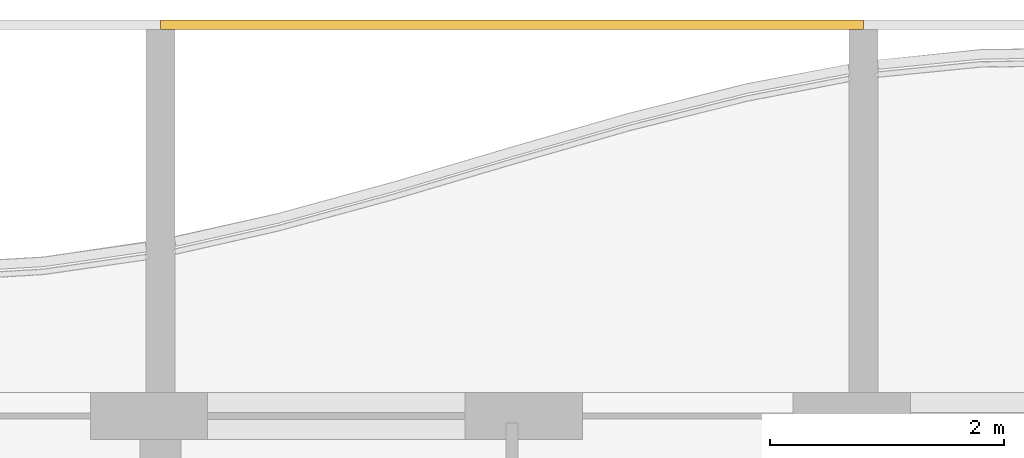
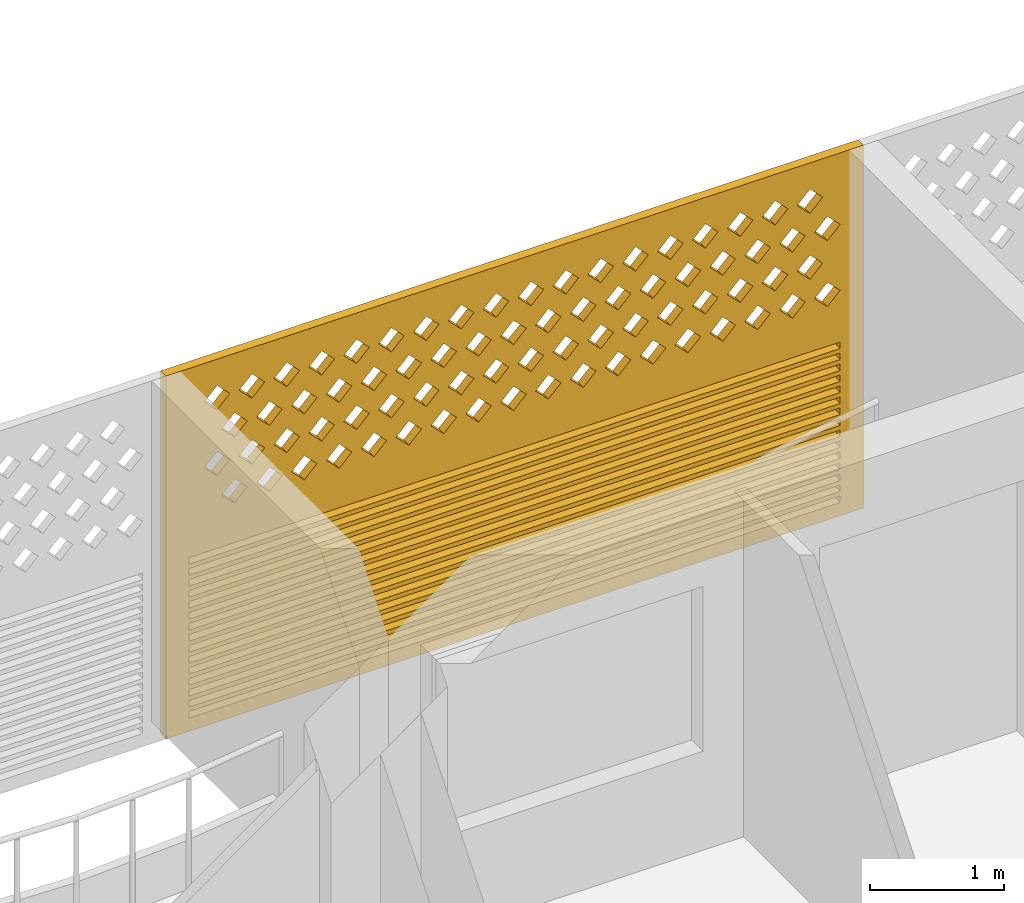
# One storey, part 25 of 27: 1 covering.
"""IFC4 building model written with IfcOpenShell, lengths in metres."""

from ifc_helpers import new_model, si_unit, direction, frame, origin, place, context, subcontext, project, spatial, polyline, outline, extrude, source, transform, mapped, material, material_profile, profile_set, type_object, element, save


model = new_model("IFC4")

# Units and contexts
model_context = context("Model", 3, precision=1e-05, world=origin(), true_north=direction((0.0, 1.0)))
body_context = subcontext(model_context, "Body", "Model", "MODEL_VIEW")
ifc_project = project(units=[si_unit("LENGTHUNIT", "METRE"), si_unit("AREAUNIT", "SQUARE_METRE"), si_unit("VOLUMEUNIT", "CUBIC_METRE"), si_unit("PLANEANGLEUNIT", "RADIAN"), si_unit("MASSUNIT", "GRAM", prefix="KILO")], contexts=[model_context])

# Site, building, storey
site_placement = place(None, origin())
site = spatial("IfcSite", under=ifc_project, at=site_placement, CompositionType="ELEMENT")
building_placement = place(site_placement, origin())
building = spatial("IfcBuilding", under=site, at=building_placement, Name="Poui Terraces", CompositionType="ELEMENT")
storey_placement = place(building_placement, frame((0.0, 0.0, 92.699951171875)))
storey = spatial("IfcBuildingStorey", under=building, at=storey_placement, Name="L25", CompositionType="ELEMENT", Elevation=92.699951171875)

# Covering
ifc_material = material(Name="Terracotta screen", Category="masonry")
ifc_material_profile = material_profile(ifc_material, outline(polyline([(-3.0, -1.64990234375), (3.0, -1.64990234375), (3.0, 1.64990234375), (-3.0, 1.64990234375), (-3.0, -1.64990234375)]), holes=[polyline([(-2.800048828125, 0.39990234375), (-2.68994140625, 0.2900390625), (-2.580078125, 0.39990234375), (-2.68994140625, 0.510009765625), (-2.800048828125, 0.39990234375)]), polyline([(-2.5, 0.39990234375), (-2.389892578125, 0.2900390625), (-2.280029296875, 0.39990234375), (-2.389892578125, 0.510009765625), (-2.5, 0.39990234375)]), polyline([(-2.199951171875, 0.39990234375), (-2.090087890625, 0.2900390625), (-1.97998046875, 0.39990234375), (-2.090087890625, 0.510009765625), (-2.199951171875, 0.39990234375)]), polyline([(-1.89990234375, 0.39990234375), (-1.7900390625, 0.2900390625), (-1.679931640625, 0.39990234375), (-1.7900390625, 0.510009765625), (-1.89990234375, 0.39990234375)]), polyline([(-1.60009765625, 0.39990234375), (-1.489990234375, 0.2900390625), (-1.3798828125, 0.39990234375), (-1.489990234375, 0.510009765625), (-1.60009765625, 0.39990234375)]), polyline([(-1.300048828125, 0.39990234375), (-1.18994140625, 0.2900390625), (-1.080078125, 0.39990234375), (-1.18994140625, 0.510009765625), (-1.300048828125, 0.39990234375)]), polyline([(-1.0, 0.39990234375), (-0.889892578125, 0.2900390625), (-0.780029296875, 0.39990234375), (-0.889892578125, 0.510009765625), (-1.0, 0.39990234375)]), polyline([(-0.699951171875, 0.39990234375), (-0.590087890625, 0.2900390625), (-0.47998046875, 0.39990234375), (-0.590087890625, 0.510009765625), (-0.699951171875, 0.39990234375)]), polyline([(-0.39990234375, 0.39990234375), (-0.2900390625, 0.2900390625), (-0.179931640625, 0.39990234375), (-0.2900390625, 0.510009765625), (-0.39990234375, 0.39990234375)]), polyline([(-0.10009765625, 0.39990234375), (0.010009765625, 0.2900390625), (0.1201171875, 0.39990234375), (0.010009765625, 0.510009765625), (-0.10009765625, 0.39990234375)]), polyline([(0.199951171875, 0.39990234375), (0.31005859375, 0.2900390625), (0.419921875, 0.39990234375), (0.31005859375, 0.510009765625), (0.199951171875, 0.39990234375)]), polyline([(0.5, 0.39990234375), (0.610107421875, 0.2900390625), (0.719970703125, 0.39990234375), (0.610107421875, 0.510009765625), (0.5, 0.39990234375)]), polyline([(0.800048828125, 0.39990234375), (0.909912109375, 0.2900390625), (1.02001953125, 0.39990234375), (0.909912109375, 0.510009765625), (0.800048828125, 0.39990234375)]), polyline([(1.10009765625, 0.39990234375), (1.2099609375, 0.2900390625), (1.320068359375, 0.39990234375), (1.2099609375, 0.510009765625), (1.10009765625, 0.39990234375)]), polyline([(1.39990234375, 0.39990234375), (1.510009765625, 0.2900390625), (1.6201171875, 0.39990234375), (1.510009765625, 0.510009765625), (1.39990234375, 0.39990234375)]), polyline([(1.699951171875, 0.39990234375), (1.81005859375, 0.2900390625), (1.919921875, 0.39990234375), (1.81005859375, 0.510009765625), (1.699951171875, 0.39990234375)]), polyline([(2.0, 0.39990234375), (2.110107421875, 0.2900390625), (2.219970703125, 0.39990234375), (2.110107421875, 0.510009765625), (2.0, 0.39990234375)]), polyline([(2.300048828125, 0.39990234375), (2.409912109375, 0.2900390625), (2.52001953125, 0.39990234375), (2.409912109375, 0.510009765625), (2.300048828125, 0.39990234375)]), polyline([(-2.64990234375, 0.699951171875), (-2.5400390625, 0.590087890625), (-2.429931640625, 0.699951171875), (-2.5400390625, 0.81005859375), (-2.64990234375, 0.699951171875)]), polyline([(-2.35009765625, 0.699951171875), (-2.239990234375, 0.590087890625), (-2.1298828125, 0.699951171875), (-2.239990234375, 0.81005859375), (-2.35009765625, 0.699951171875)]), polyline([(-2.050048828125, 0.699951171875), (-1.93994140625, 0.590087890625), (-1.830078125, 0.699951171875), (-1.93994140625, 0.81005859375), (-2.050048828125, 0.699951171875)]), polyline([(-1.75, 0.699951171875), (-1.639892578125, 0.590087890625), (-1.530029296875, 0.699951171875), (-1.639892578125, 0.81005859375), (-1.75, 0.699951171875)]), polyline([(-1.449951171875, 0.699951171875), (-1.340087890625, 0.590087890625), (-1.22998046875, 0.699951171875), (-1.340087890625, 0.81005859375), (-1.449951171875, 0.699951171875)]), polyline([(-1.14990234375, 0.699951171875), (-1.0400390625, 0.590087890625), (-0.929931640625, 0.699951171875), (-1.0400390625, 0.81005859375), (-1.14990234375, 0.699951171875)]), polyline([(-0.85009765625, 0.699951171875), (-0.739990234375, 0.590087890625), (-0.6298828125, 0.699951171875), (-0.739990234375, 0.81005859375), (-0.85009765625, 0.699951171875)]), polyline([(-0.550048828125, 0.699951171875), (-0.43994140625, 0.590087890625), (-0.330078125, 0.699951171875), (-0.43994140625, 0.81005859375), (-0.550048828125, 0.699951171875)]), polyline([(-0.25, 0.699951171875), (-0.139892578125, 0.590087890625), (-0.030029296875, 0.699951171875), (-0.139892578125, 0.81005859375), (-0.25, 0.699951171875)]), polyline([(0.050048828125, 0.699951171875), (0.159912109375, 0.590087890625), (0.27001953125, 0.699951171875), (0.159912109375, 0.81005859375), (0.050048828125, 0.699951171875)]), polyline([(0.35009765625, 0.699951171875), (0.4599609375, 0.590087890625), (0.570068359375, 0.699951171875), (0.4599609375, 0.81005859375), (0.35009765625, 0.699951171875)]), polyline([(0.64990234375, 0.699951171875), (0.760009765625, 0.590087890625), (0.8701171875, 0.699951171875), (0.760009765625, 0.81005859375), (0.64990234375, 0.699951171875)]), polyline([(0.949951171875, 0.699951171875), (1.06005859375, 0.590087890625), (1.169921875, 0.699951171875), (1.06005859375, 0.81005859375), (0.949951171875, 0.699951171875)]), polyline([(1.25, 0.699951171875), (1.360107421875, 0.590087890625), (1.469970703125, 0.699951171875), (1.360107421875, 0.81005859375), (1.25, 0.699951171875)]), polyline([(1.550048828125, 0.699951171875), (1.659912109375, 0.590087890625), (1.77001953125, 0.699951171875), (1.659912109375, 0.81005859375), (1.550048828125, 0.699951171875)]), polyline([(1.85009765625, 0.699951171875), (1.9599609375, 0.590087890625), (2.070068359375, 0.699951171875), (1.9599609375, 0.81005859375), (1.85009765625, 0.699951171875)]), polyline([(2.14990234375, 0.699951171875), (2.260009765625, 0.590087890625), (2.3701171875, 0.699951171875), (2.260009765625, 0.81005859375), (2.14990234375, 0.699951171875)]), polyline([(2.449951171875, 0.699951171875), (2.56005859375, 0.590087890625), (2.669921875, 0.699951171875), (2.56005859375, 0.81005859375), (2.449951171875, 0.699951171875)]), polyline([(-2.800048828125, 1.0), (-2.68994140625, 0.889892578125), (-2.580078125, 1.0), (-2.68994140625, 1.110107421875), (-2.800048828125, 1.0)]), polyline([(-2.5, 1.0), (-2.389892578125, 0.889892578125), (-2.280029296875, 1.0), (-2.389892578125, 1.110107421875), (-2.5, 1.0)]), polyline([(-2.199951171875, 1.0), (-2.090087890625, 0.889892578125), (-1.97998046875, 1.0), (-2.090087890625, 1.110107421875), (-2.199951171875, 1.0)]), polyline([(-1.89990234375, 1.0), (-1.7900390625, 0.889892578125), (-1.679931640625, 1.0), (-1.7900390625, 1.110107421875), (-1.89990234375, 1.0)]), polyline([(-1.60009765625, 1.0), (-1.489990234375, 0.889892578125), (-1.3798828125, 1.0), (-1.489990234375, 1.110107421875), (-1.60009765625, 1.0)]), polyline([(-1.300048828125, 1.0), (-1.18994140625, 0.889892578125), (-1.080078125, 1.0), (-1.18994140625, 1.110107421875), (-1.300048828125, 1.0)]), polyline([(-1.0, 1.0), (-0.889892578125, 0.889892578125), (-0.780029296875, 1.0), (-0.889892578125, 1.110107421875), (-1.0, 1.0)]), polyline([(-0.699951171875, 1.0), (-0.590087890625, 0.889892578125), (-0.47998046875, 1.0), (-0.590087890625, 1.110107421875), (-0.699951171875, 1.0)]), polyline([(-0.39990234375, 1.0), (-0.2900390625, 0.889892578125), (-0.179931640625, 1.0), (-0.2900390625, 1.110107421875), (-0.39990234375, 1.0)]), polyline([(-0.10009765625, 1.0), (0.010009765625, 0.889892578125), (0.1201171875, 1.0), (0.010009765625, 1.110107421875), (-0.10009765625, 1.0)]), polyline([(0.199951171875, 1.0), (0.31005859375, 0.889892578125), (0.419921875, 1.0), (0.31005859375, 1.110107421875), (0.199951171875, 1.0)]), polyline([(0.5, 1.0), (0.610107421875, 0.889892578125), (0.719970703125, 1.0), (0.610107421875, 1.110107421875), (0.5, 1.0)]), polyline([(0.800048828125, 1.0), (0.909912109375, 0.889892578125), (1.02001953125, 1.0), (0.909912109375, 1.110107421875), (0.800048828125, 1.0)]), polyline([(1.10009765625, 1.0), (1.2099609375, 0.889892578125), (1.320068359375, 1.0), (1.2099609375, 1.110107421875), (1.10009765625, 1.0)]), polyline([(1.39990234375, 1.0), (1.510009765625, 0.889892578125), (1.6201171875, 1.0), (1.510009765625, 1.110107421875), (1.39990234375, 1.0)]), polyline([(1.699951171875, 1.0), (1.81005859375, 0.889892578125), (1.919921875, 1.0), (1.81005859375, 1.110107421875), (1.699951171875, 1.0)]), polyline([(2.0, 1.0), (2.110107421875, 0.889892578125), (2.219970703125, 1.0), (2.110107421875, 1.110107421875), (2.0, 1.0)]), polyline([(2.300048828125, 1.0), (2.409912109375, 0.889892578125), (2.52001953125, 1.0), (2.409912109375, 1.110107421875), (2.300048828125, 1.0)]), polyline([(-2.64990234375, 1.300048828125), (-2.5400390625, 1.18994140625), (-2.429931640625, 1.300048828125), (-2.5400390625, 1.409912109375), (-2.64990234375, 1.300048828125)]), polyline([(-2.35009765625, 1.300048828125), (-2.239990234375, 1.18994140625), (-2.1298828125, 1.300048828125), (-2.239990234375, 1.409912109375), (-2.35009765625, 1.300048828125)]), polyline([(-2.050048828125, 1.300048828125), (-1.93994140625, 1.18994140625), (-1.830078125, 1.300048828125), (-1.93994140625, 1.409912109375), (-2.050048828125, 1.300048828125)]), polyline([(-1.75, 1.300048828125), (-1.639892578125, 1.18994140625), (-1.530029296875, 1.300048828125), (-1.639892578125, 1.409912109375), (-1.75, 1.300048828125)]), polyline([(-1.449951171875, 1.300048828125), (-1.340087890625, 1.18994140625), (-1.22998046875, 1.300048828125), (-1.340087890625, 1.409912109375), (-1.449951171875, 1.300048828125)]), polyline([(-1.14990234375, 1.300048828125), (-1.0400390625, 1.18994140625), (-0.929931640625, 1.300048828125), (-1.0400390625, 1.409912109375), (-1.14990234375, 1.300048828125)]), polyline([(-0.85009765625, 1.300048828125), (-0.739990234375, 1.18994140625), (-0.6298828125, 1.300048828125), (-0.739990234375, 1.409912109375), (-0.85009765625, 1.300048828125)]), polyline([(-0.550048828125, 1.300048828125), (-0.43994140625, 1.18994140625), (-0.330078125, 1.300048828125), (-0.43994140625, 1.409912109375), (-0.550048828125, 1.300048828125)]), polyline([(-0.25, 1.300048828125), (-0.139892578125, 1.18994140625), (-0.030029296875, 1.300048828125), (-0.139892578125, 1.409912109375), (-0.25, 1.300048828125)]), polyline([(0.050048828125, 1.300048828125), (0.159912109375, 1.18994140625), (0.27001953125, 1.300048828125), (0.159912109375, 1.409912109375), (0.050048828125, 1.300048828125)]), polyline([(0.35009765625, 1.300048828125), (0.4599609375, 1.18994140625), (0.570068359375, 1.300048828125), (0.4599609375, 1.409912109375), (0.35009765625, 1.300048828125)]), polyline([(0.64990234375, 1.300048828125), (0.760009765625, 1.18994140625), (0.8701171875, 1.300048828125), (0.760009765625, 1.409912109375), (0.64990234375, 1.300048828125)]), polyline([(0.949951171875, 1.300048828125), (1.06005859375, 1.18994140625), (1.169921875, 1.300048828125), (1.06005859375, 1.409912109375), (0.949951171875, 1.300048828125)]), polyline([(1.25, 1.300048828125), (1.360107421875, 1.18994140625), (1.469970703125, 1.300048828125), (1.360107421875, 1.409912109375), (1.25, 1.300048828125)]), polyline([(1.550048828125, 1.300048828125), (1.659912109375, 1.18994140625), (1.77001953125, 1.300048828125), (1.659912109375, 1.409912109375), (1.550048828125, 1.300048828125)]), polyline([(1.85009765625, 1.300048828125), (1.9599609375, 1.18994140625), (2.070068359375, 1.300048828125), (1.9599609375, 1.409912109375), (1.85009765625, 1.300048828125)]), polyline([(2.14990234375, 1.300048828125), (2.260009765625, 1.18994140625), (2.3701171875, 1.300048828125), (2.260009765625, 1.409912109375), (2.14990234375, 1.300048828125)]), polyline([(2.449951171875, 1.300048828125), (2.56005859375, 1.18994140625), (2.669921875, 1.300048828125), (2.56005859375, 1.409912109375), (2.449951171875, 1.300048828125)]), polyline([(-2.800048828125, -1.530029296875), (2.800048828125, -1.530029296875), (2.800048828125, -1.469970703125), (-2.800048828125, -1.469970703125), (-2.800048828125, -1.530029296875)]), polyline([(-2.800048828125, -1.429931640625), (2.800048828125, -1.429931640625), (2.800048828125, -1.3701171875), (-2.800048828125, -1.3701171875), (-2.800048828125, -1.429931640625)]), polyline([(-2.800048828125, -1.330078125), (2.800048828125, -1.330078125), (2.800048828125, -1.27001953125), (-2.800048828125, -1.27001953125), (-2.800048828125, -1.330078125)]), polyline([(-2.800048828125, -1.22998046875), (2.800048828125, -1.22998046875), (2.800048828125, -1.169921875), (-2.800048828125, -1.169921875), (-2.800048828125, -1.22998046875)]), polyline([(-2.800048828125, -1.1298828125), (2.800048828125, -1.1298828125), (2.800048828125, -1.070068359375), (-2.800048828125, -1.070068359375), (-2.800048828125, -1.1298828125)]), polyline([(-2.800048828125, -1.030029296875), (2.800048828125, -1.030029296875), (2.800048828125, -0.969970703125), (-2.800048828125, -0.969970703125), (-2.800048828125, -1.030029296875)]), polyline([(-2.800048828125, -0.929931640625), (2.800048828125, -0.929931640625), (2.800048828125, -0.8701171875), (-2.800048828125, -0.8701171875), (-2.800048828125, -0.929931640625)]), polyline([(-2.800048828125, -0.830078125), (2.800048828125, -0.830078125), (2.800048828125, -0.77001953125), (-2.800048828125, -0.77001953125), (-2.800048828125, -0.830078125)]), polyline([(-2.800048828125, -0.72998046875), (2.800048828125, -0.72998046875), (2.800048828125, -0.669921875), (-2.800048828125, -0.669921875), (-2.800048828125, -0.72998046875)]), polyline([(-2.800048828125, -0.6298828125), (2.800048828125, -0.6298828125), (2.800048828125, -0.570068359375), (-2.800048828125, -0.570068359375), (-2.800048828125, -0.6298828125)]), polyline([(-2.800048828125, -0.530029296875), (2.800048828125, -0.530029296875), (2.800048828125, -0.469970703125), (-2.800048828125, -0.469970703125), (-2.800048828125, -0.530029296875)]), polyline([(-2.800048828125, -0.429931640625), (2.800048828125, -0.429931640625), (2.800048828125, -0.3701171875), (-2.800048828125, -0.3701171875), (-2.800048828125, -0.429931640625)]), polyline([(-2.800048828125, -0.330078125), (2.800048828125, -0.330078125), (2.800048828125, -0.27001953125), (-2.800048828125, -0.27001953125), (-2.800048828125, -0.330078125)]), polyline([(-2.800048828125, -0.22998046875), (2.800048828125, -0.22998046875), (2.800048828125, -0.169921875), (-2.800048828125, -0.169921875), (-2.800048828125, -0.22998046875)]), polyline([(-2.800048828125, -0.1298828125), (2.800048828125, -0.1298828125), (2.800048828125, -0.070068359375), (-2.800048828125, -0.070068359375), (-2.800048828125, -0.1298828125)])]), Name="TERRACOTTA SCREEN AND JALOUSIE LOUVRE 6000X3300")
ifc_profile_set = profile_set([ifc_material_profile], Name="Terracotta screen")
covering_type = type_object("IfcCoveringType", Name="TERRACOTTA SCREEN AND JALOUSIE LOUVRE 6000X3300", PredefinedType="CLADDING", material=ifc_profile_set)
shared_shape = source(origin(), body_context, "Body", "SweptSolid", [
    extrude(outline(polyline([(-3.0, -1.64990234375), (3.0, -1.64990234375), (3.0, 1.64990234375), (-3.0, 1.64990234375), (-3.0, -1.64990234375)]), holes=[polyline([(-2.800048828125, 0.39990234375), (-2.68994140625, 0.2900390625), (-2.580078125, 0.39990234375), (-2.68994140625, 0.510009765625), (-2.800048828125, 0.39990234375)]), polyline([(-2.5, 0.39990234375), (-2.389892578125, 0.2900390625), (-2.280029296875, 0.39990234375), (-2.389892578125, 0.510009765625), (-2.5, 0.39990234375)]), polyline([(-2.199951171875, 0.39990234375), (-2.090087890625, 0.2900390625), (-1.97998046875, 0.39990234375), (-2.090087890625, 0.510009765625), (-2.199951171875, 0.39990234375)]), polyline([(-1.89990234375, 0.39990234375), (-1.7900390625, 0.2900390625), (-1.679931640625, 0.39990234375), (-1.7900390625, 0.510009765625), (-1.89990234375, 0.39990234375)]), polyline([(-1.60009765625, 0.39990234375), (-1.489990234375, 0.2900390625), (-1.3798828125, 0.39990234375), (-1.489990234375, 0.510009765625), (-1.60009765625, 0.39990234375)]), polyline([(-1.300048828125, 0.39990234375), (-1.18994140625, 0.2900390625), (-1.080078125, 0.39990234375), (-1.18994140625, 0.510009765625), (-1.300048828125, 0.39990234375)]), polyline([(-1.0, 0.39990234375), (-0.889892578125, 0.2900390625), (-0.780029296875, 0.39990234375), (-0.889892578125, 0.510009765625), (-1.0, 0.39990234375)]), polyline([(-0.699951171875, 0.39990234375), (-0.590087890625, 0.2900390625), (-0.47998046875, 0.39990234375), (-0.590087890625, 0.510009765625), (-0.699951171875, 0.39990234375)]), polyline([(-0.39990234375, 0.39990234375), (-0.2900390625, 0.2900390625), (-0.179931640625, 0.39990234375), (-0.2900390625, 0.510009765625), (-0.39990234375, 0.39990234375)]), polyline([(-0.10009765625, 0.39990234375), (0.010009765625, 0.2900390625), (0.1201171875, 0.39990234375), (0.010009765625, 0.510009765625), (-0.10009765625, 0.39990234375)]), polyline([(0.199951171875, 0.39990234375), (0.31005859375, 0.2900390625), (0.419921875, 0.39990234375), (0.31005859375, 0.510009765625), (0.199951171875, 0.39990234375)]), polyline([(0.5, 0.39990234375), (0.610107421875, 0.2900390625), (0.719970703125, 0.39990234375), (0.610107421875, 0.510009765625), (0.5, 0.39990234375)]), polyline([(0.800048828125, 0.39990234375), (0.909912109375, 0.2900390625), (1.02001953125, 0.39990234375), (0.909912109375, 0.510009765625), (0.800048828125, 0.39990234375)]), polyline([(1.10009765625, 0.39990234375), (1.2099609375, 0.2900390625), (1.320068359375, 0.39990234375), (1.2099609375, 0.510009765625), (1.10009765625, 0.39990234375)]), polyline([(1.39990234375, 0.39990234375), (1.510009765625, 0.2900390625), (1.6201171875, 0.39990234375), (1.510009765625, 0.510009765625), (1.39990234375, 0.39990234375)]), polyline([(1.699951171875, 0.39990234375), (1.81005859375, 0.2900390625), (1.919921875, 0.39990234375), (1.81005859375, 0.510009765625), (1.699951171875, 0.39990234375)]), polyline([(2.0, 0.39990234375), (2.110107421875, 0.2900390625), (2.219970703125, 0.39990234375), (2.110107421875, 0.510009765625), (2.0, 0.39990234375)]), polyline([(2.300048828125, 0.39990234375), (2.409912109375, 0.2900390625), (2.52001953125, 0.39990234375), (2.409912109375, 0.510009765625), (2.300048828125, 0.39990234375)]), polyline([(-2.64990234375, 0.699951171875), (-2.5400390625, 0.590087890625), (-2.429931640625, 0.699951171875), (-2.5400390625, 0.81005859375), (-2.64990234375, 0.699951171875)]), polyline([(-2.35009765625, 0.699951171875), (-2.239990234375, 0.590087890625), (-2.1298828125, 0.699951171875), (-2.239990234375, 0.81005859375), (-2.35009765625, 0.699951171875)]), polyline([(-2.050048828125, 0.699951171875), (-1.93994140625, 0.590087890625), (-1.830078125, 0.699951171875), (-1.93994140625, 0.81005859375), (-2.050048828125, 0.699951171875)]), polyline([(-1.75, 0.699951171875), (-1.639892578125, 0.590087890625), (-1.530029296875, 0.699951171875), (-1.639892578125, 0.81005859375), (-1.75, 0.699951171875)]), polyline([(-1.449951171875, 0.699951171875), (-1.340087890625, 0.590087890625), (-1.22998046875, 0.699951171875), (-1.340087890625, 0.81005859375), (-1.449951171875, 0.699951171875)]), polyline([(-1.14990234375, 0.699951171875), (-1.0400390625, 0.590087890625), (-0.929931640625, 0.699951171875), (-1.0400390625, 0.81005859375), (-1.14990234375, 0.699951171875)]), polyline([(-0.85009765625, 0.699951171875), (-0.739990234375, 0.590087890625), (-0.6298828125, 0.699951171875), (-0.739990234375, 0.81005859375), (-0.85009765625, 0.699951171875)]), polyline([(-0.550048828125, 0.699951171875), (-0.43994140625, 0.590087890625), (-0.330078125, 0.699951171875), (-0.43994140625, 0.81005859375), (-0.550048828125, 0.699951171875)]), polyline([(-0.25, 0.699951171875), (-0.139892578125, 0.590087890625), (-0.030029296875, 0.699951171875), (-0.139892578125, 0.81005859375), (-0.25, 0.699951171875)]), polyline([(0.050048828125, 0.699951171875), (0.159912109375, 0.590087890625), (0.27001953125, 0.699951171875), (0.159912109375, 0.81005859375), (0.050048828125, 0.699951171875)]), polyline([(0.35009765625, 0.699951171875), (0.4599609375, 0.590087890625), (0.570068359375, 0.699951171875), (0.4599609375, 0.81005859375), (0.35009765625, 0.699951171875)]), polyline([(0.64990234375, 0.699951171875), (0.760009765625, 0.590087890625), (0.8701171875, 0.699951171875), (0.760009765625, 0.81005859375), (0.64990234375, 0.699951171875)]), polyline([(0.949951171875, 0.699951171875), (1.06005859375, 0.590087890625), (1.169921875, 0.699951171875), (1.06005859375, 0.81005859375), (0.949951171875, 0.699951171875)]), polyline([(1.25, 0.699951171875), (1.360107421875, 0.590087890625), (1.469970703125, 0.699951171875), (1.360107421875, 0.81005859375), (1.25, 0.699951171875)]), polyline([(1.550048828125, 0.699951171875), (1.659912109375, 0.590087890625), (1.77001953125, 0.699951171875), (1.659912109375, 0.81005859375), (1.550048828125, 0.699951171875)]), polyline([(1.85009765625, 0.699951171875), (1.9599609375, 0.590087890625), (2.070068359375, 0.699951171875), (1.9599609375, 0.81005859375), (1.85009765625, 0.699951171875)]), polyline([(2.14990234375, 0.699951171875), (2.260009765625, 0.590087890625), (2.3701171875, 0.699951171875), (2.260009765625, 0.81005859375), (2.14990234375, 0.699951171875)]), polyline([(2.449951171875, 0.699951171875), (2.56005859375, 0.590087890625), (2.669921875, 0.699951171875), (2.56005859375, 0.81005859375), (2.449951171875, 0.699951171875)]), polyline([(-2.800048828125, 1.0), (-2.68994140625, 0.889892578125), (-2.580078125, 1.0), (-2.68994140625, 1.110107421875), (-2.800048828125, 1.0)]), polyline([(-2.5, 1.0), (-2.389892578125, 0.889892578125), (-2.280029296875, 1.0), (-2.389892578125, 1.110107421875), (-2.5, 1.0)]), polyline([(-2.199951171875, 1.0), (-2.090087890625, 0.889892578125), (-1.97998046875, 1.0), (-2.090087890625, 1.110107421875), (-2.199951171875, 1.0)]), polyline([(-1.89990234375, 1.0), (-1.7900390625, 0.889892578125), (-1.679931640625, 1.0), (-1.7900390625, 1.110107421875), (-1.89990234375, 1.0)]), polyline([(-1.60009765625, 1.0), (-1.489990234375, 0.889892578125), (-1.3798828125, 1.0), (-1.489990234375, 1.110107421875), (-1.60009765625, 1.0)]), polyline([(-1.300048828125, 1.0), (-1.18994140625, 0.889892578125), (-1.080078125, 1.0), (-1.18994140625, 1.110107421875), (-1.300048828125, 1.0)]), polyline([(-1.0, 1.0), (-0.889892578125, 0.889892578125), (-0.780029296875, 1.0), (-0.889892578125, 1.110107421875), (-1.0, 1.0)]), polyline([(-0.699951171875, 1.0), (-0.590087890625, 0.889892578125), (-0.47998046875, 1.0), (-0.590087890625, 1.110107421875), (-0.699951171875, 1.0)]), polyline([(-0.39990234375, 1.0), (-0.2900390625, 0.889892578125), (-0.179931640625, 1.0), (-0.2900390625, 1.110107421875), (-0.39990234375, 1.0)]), polyline([(-0.10009765625, 1.0), (0.010009765625, 0.889892578125), (0.1201171875, 1.0), (0.010009765625, 1.110107421875), (-0.10009765625, 1.0)]), polyline([(0.199951171875, 1.0), (0.31005859375, 0.889892578125), (0.419921875, 1.0), (0.31005859375, 1.110107421875), (0.199951171875, 1.0)]), polyline([(0.5, 1.0), (0.610107421875, 0.889892578125), (0.719970703125, 1.0), (0.610107421875, 1.110107421875), (0.5, 1.0)]), polyline([(0.800048828125, 1.0), (0.909912109375, 0.889892578125), (1.02001953125, 1.0), (0.909912109375, 1.110107421875), (0.800048828125, 1.0)]), polyline([(1.10009765625, 1.0), (1.2099609375, 0.889892578125), (1.320068359375, 1.0), (1.2099609375, 1.110107421875), (1.10009765625, 1.0)]), polyline([(1.39990234375, 1.0), (1.510009765625, 0.889892578125), (1.6201171875, 1.0), (1.510009765625, 1.110107421875), (1.39990234375, 1.0)]), polyline([(1.699951171875, 1.0), (1.81005859375, 0.889892578125), (1.919921875, 1.0), (1.81005859375, 1.110107421875), (1.699951171875, 1.0)]), polyline([(2.0, 1.0), (2.110107421875, 0.889892578125), (2.219970703125, 1.0), (2.110107421875, 1.110107421875), (2.0, 1.0)]), polyline([(2.300048828125, 1.0), (2.409912109375, 0.889892578125), (2.52001953125, 1.0), (2.409912109375, 1.110107421875), (2.300048828125, 1.0)]), polyline([(-2.64990234375, 1.300048828125), (-2.5400390625, 1.18994140625), (-2.429931640625, 1.300048828125), (-2.5400390625, 1.409912109375), (-2.64990234375, 1.300048828125)]), polyline([(-2.35009765625, 1.300048828125), (-2.239990234375, 1.18994140625), (-2.1298828125, 1.300048828125), (-2.239990234375, 1.409912109375), (-2.35009765625, 1.300048828125)]), polyline([(-2.050048828125, 1.300048828125), (-1.93994140625, 1.18994140625), (-1.830078125, 1.300048828125), (-1.93994140625, 1.409912109375), (-2.050048828125, 1.300048828125)]), polyline([(-1.75, 1.300048828125), (-1.639892578125, 1.18994140625), (-1.530029296875, 1.300048828125), (-1.639892578125, 1.409912109375), (-1.75, 1.300048828125)]), polyline([(-1.449951171875, 1.300048828125), (-1.340087890625, 1.18994140625), (-1.22998046875, 1.300048828125), (-1.340087890625, 1.409912109375), (-1.449951171875, 1.300048828125)]), polyline([(-1.14990234375, 1.300048828125), (-1.0400390625, 1.18994140625), (-0.929931640625, 1.300048828125), (-1.0400390625, 1.409912109375), (-1.14990234375, 1.300048828125)]), polyline([(-0.85009765625, 1.300048828125), (-0.739990234375, 1.18994140625), (-0.6298828125, 1.300048828125), (-0.739990234375, 1.409912109375), (-0.85009765625, 1.300048828125)]), polyline([(-0.550048828125, 1.300048828125), (-0.43994140625, 1.18994140625), (-0.330078125, 1.300048828125), (-0.43994140625, 1.409912109375), (-0.550048828125, 1.300048828125)]), polyline([(-0.25, 1.300048828125), (-0.139892578125, 1.18994140625), (-0.030029296875, 1.300048828125), (-0.139892578125, 1.409912109375), (-0.25, 1.300048828125)]), polyline([(0.050048828125, 1.300048828125), (0.159912109375, 1.18994140625), (0.27001953125, 1.300048828125), (0.159912109375, 1.409912109375), (0.050048828125, 1.300048828125)]), polyline([(0.35009765625, 1.300048828125), (0.4599609375, 1.18994140625), (0.570068359375, 1.300048828125), (0.4599609375, 1.409912109375), (0.35009765625, 1.300048828125)]), polyline([(0.64990234375, 1.300048828125), (0.760009765625, 1.18994140625), (0.8701171875, 1.300048828125), (0.760009765625, 1.409912109375), (0.64990234375, 1.300048828125)]), polyline([(0.949951171875, 1.300048828125), (1.06005859375, 1.18994140625), (1.169921875, 1.300048828125), (1.06005859375, 1.409912109375), (0.949951171875, 1.300048828125)]), polyline([(1.25, 1.300048828125), (1.360107421875, 1.18994140625), (1.469970703125, 1.300048828125), (1.360107421875, 1.409912109375), (1.25, 1.300048828125)]), polyline([(1.550048828125, 1.300048828125), (1.659912109375, 1.18994140625), (1.77001953125, 1.300048828125), (1.659912109375, 1.409912109375), (1.550048828125, 1.300048828125)]), polyline([(1.85009765625, 1.300048828125), (1.9599609375, 1.18994140625), (2.070068359375, 1.300048828125), (1.9599609375, 1.409912109375), (1.85009765625, 1.300048828125)]), polyline([(2.14990234375, 1.300048828125), (2.260009765625, 1.18994140625), (2.3701171875, 1.300048828125), (2.260009765625, 1.409912109375), (2.14990234375, 1.300048828125)]), polyline([(2.449951171875, 1.300048828125), (2.56005859375, 1.18994140625), (2.669921875, 1.300048828125), (2.56005859375, 1.409912109375), (2.449951171875, 1.300048828125)]), polyline([(-2.800048828125, -1.530029296875), (2.800048828125, -1.530029296875), (2.800048828125, -1.469970703125), (-2.800048828125, -1.469970703125), (-2.800048828125, -1.530029296875)]), polyline([(-2.800048828125, -1.429931640625), (2.800048828125, -1.429931640625), (2.800048828125, -1.3701171875), (-2.800048828125, -1.3701171875), (-2.800048828125, -1.429931640625)]), polyline([(-2.800048828125, -1.330078125), (2.800048828125, -1.330078125), (2.800048828125, -1.27001953125), (-2.800048828125, -1.27001953125), (-2.800048828125, -1.330078125)]), polyline([(-2.800048828125, -1.22998046875), (2.800048828125, -1.22998046875), (2.800048828125, -1.169921875), (-2.800048828125, -1.169921875), (-2.800048828125, -1.22998046875)]), polyline([(-2.800048828125, -1.1298828125), (2.800048828125, -1.1298828125), (2.800048828125, -1.070068359375), (-2.800048828125, -1.070068359375), (-2.800048828125, -1.1298828125)]), polyline([(-2.800048828125, -1.030029296875), (2.800048828125, -1.030029296875), (2.800048828125, -0.969970703125), (-2.800048828125, -0.969970703125), (-2.800048828125, -1.030029296875)]), polyline([(-2.800048828125, -0.929931640625), (2.800048828125, -0.929931640625), (2.800048828125, -0.8701171875), (-2.800048828125, -0.8701171875), (-2.800048828125, -0.929931640625)]), polyline([(-2.800048828125, -0.830078125), (2.800048828125, -0.830078125), (2.800048828125, -0.77001953125), (-2.800048828125, -0.77001953125), (-2.800048828125, -0.830078125)]), polyline([(-2.800048828125, -0.72998046875), (2.800048828125, -0.72998046875), (2.800048828125, -0.669921875), (-2.800048828125, -0.669921875), (-2.800048828125, -0.72998046875)]), polyline([(-2.800048828125, -0.6298828125), (2.800048828125, -0.6298828125), (2.800048828125, -0.570068359375), (-2.800048828125, -0.570068359375), (-2.800048828125, -0.6298828125)]), polyline([(-2.800048828125, -0.530029296875), (2.800048828125, -0.530029296875), (2.800048828125, -0.469970703125), (-2.800048828125, -0.469970703125), (-2.800048828125, -0.530029296875)]), polyline([(-2.800048828125, -0.429931640625), (2.800048828125, -0.429931640625), (2.800048828125, -0.3701171875), (-2.800048828125, -0.3701171875), (-2.800048828125, -0.429931640625)]), polyline([(-2.800048828125, -0.330078125), (2.800048828125, -0.330078125), (2.800048828125, -0.27001953125), (-2.800048828125, -0.27001953125), (-2.800048828125, -0.330078125)]), polyline([(-2.800048828125, -0.22998046875), (2.800048828125, -0.22998046875), (2.800048828125, -0.169921875), (-2.800048828125, -0.169921875), (-2.800048828125, -0.22998046875)]), polyline([(-2.800048828125, -0.1298828125), (2.800048828125, -0.1298828125), (2.800048828125, -0.070068359375), (-2.800048828125, -0.070068359375), (-2.800048828125, -0.1298828125)])]), origin(), (0.0, 0.0, 1.0), 0.080078125),
])
covering_placement = place(storey_placement, frame((75.0, 46.89990234375, 1.449951171875), z_axis=(0.0, 1.0, 0.0), x_axis=(-1.0, 0.0, 0.0)))
element("IfcCovering", 1, at=covering_placement, inside=storey, type_object=covering_type, Name="SOLAR SCREEN AND JALOUSIE LOUVRE", PredefinedType="CLADDING", context=body_context, shape_type="MappedRepresentation", body=[
    mapped(shared_shape, transform((0.0, 0.0, 0.0))),
])

save(model, "model.ifc")
